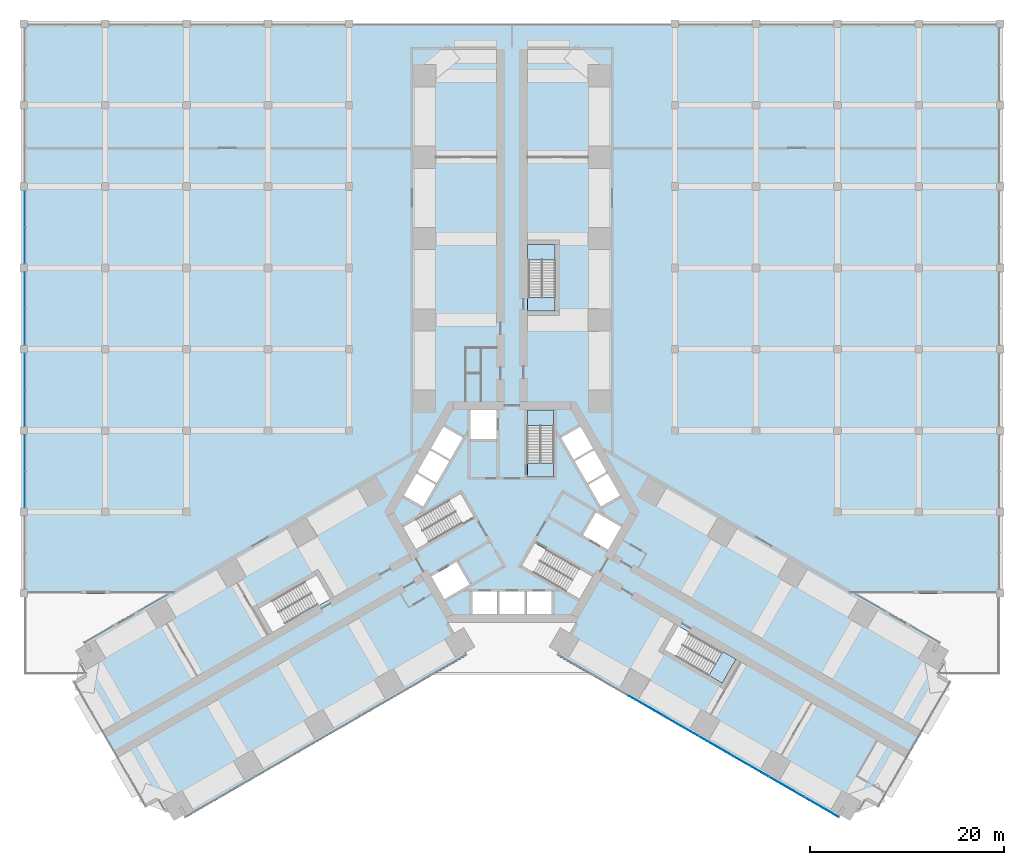
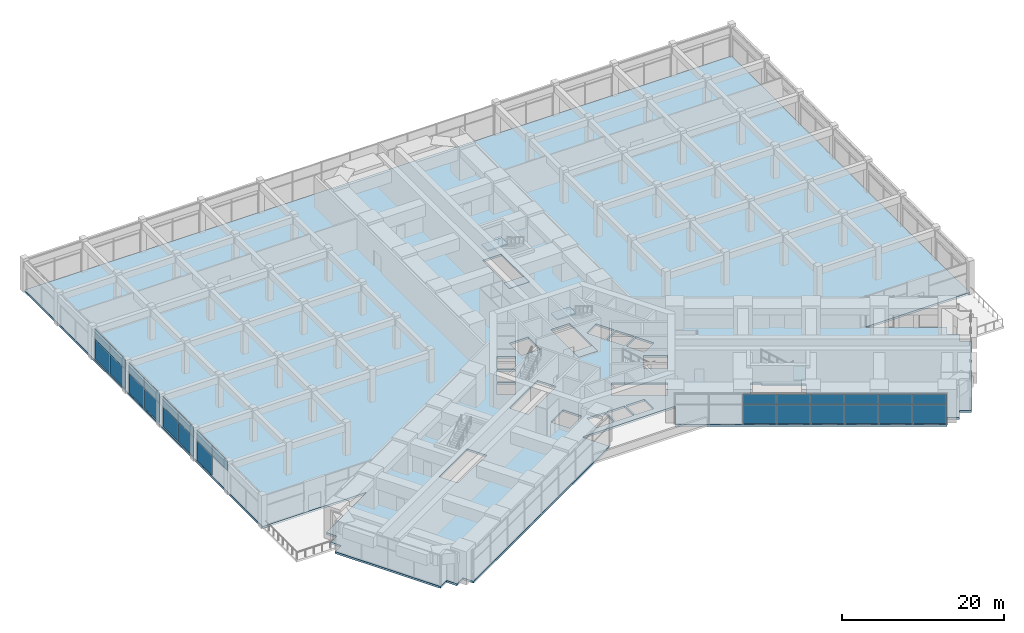
# One storey, part 24 of 33: 27 plates, 6 slabs, 8 elements without a shape of their own.
"""IFC4 building model written with IfcOpenShell, lengths in metres."""

import ifcopenshell
import ifcopenshell.guid

model = None  # the IFC model being written
_history = None  # IfcOwnerHistory: only IFC2X3 demands one
_inside = {}  # id of a spatial element -> (the spatial element, [elements in it])
_under = {}  # id of a project, library or spatial element -> (it, [spatial elements below it])
_declared = {}  # id of a project -> (the project, [libraries it declares])
_typed = {}  # id of a type object -> (the type object, [elements of that type])
_made_of = {}  # id of a material, layer set ... -> (it, [elements and type objects made of it])


def new_model(schema):
    """Start an empty IFC model of exactly this schema.

    Asked for "IFC4X3", IfcOpenShell would pick the latest addendum, in which some entities
    have other attributes; the version numbers below select the first issue.
    IFC2X3 requires an IfcOwnerHistory on every rooted entity: one is made here for all.
    """
    global model, _history
    if schema == "IFC4X3":
        model = ifcopenshell.file(schema_version=(4, 3, 0, 0))
    else:
        model = ifcopenshell.file(schema=schema)
    _inside.clear()
    _under.clear()
    _declared.clear()
    _typed.clear()
    _made_of.clear()
    _history = None
    if model.schema == "IFC2X3":
        org = make("IfcOrganization", Name="unknown")
        user = make(
            "IfcPersonAndOrganization",
            ThePerson=make("IfcPerson", FamilyName="unknown"),
            TheOrganization=org,
        )
        app = make(
            "IfcApplication",
            ApplicationDeveloper=org,
            Version="unknown",
            ApplicationFullName="unknown",
            ApplicationIdentifier="unknown",
        )
        _history = make(
            "IfcOwnerHistory",
            OwningUser=user,
            OwningApplication=app,
            ChangeAction="ADDED",
            CreationDate=0,
        )
    return model


def make(cls, **values):
    """One entity of the class cls with the attributes given. An attribute that is None is left unset."""
    return model.create_entity(
        cls, **{name: value for name, value in values.items() if value is not None}
    )


def rooted(cls, **values):
    """An entity with a GlobalId (a new one), such as an element, a storey or a relation."""
    return make(cls, GlobalId=ifcopenshell.guid.new(), OwnerHistory=_history, **values)


def si_unit(unit_type, name, prefix=None):
    """IfcSIUnit, for example si_unit("LENGTHUNIT", "METRE", prefix="MILLI")."""
    return make("IfcSIUnit", UnitType=unit_type, Prefix=prefix, Name=name)


def assignment(units):
    """IfcUnitAssignment: the units of a project."""
    return None if units is None else make("IfcUnitAssignment", Units=units)


def point(xyz):
    """IfcCartesianPoint."""
    return None if xyz is None else make("IfcCartesianPoint", Coordinates=xyz)


def direction(xyz):
    """IfcDirection."""
    return None if xyz is None else make("IfcDirection", DirectionRatios=xyz)


def frame(location, z_axis=None, x_axis=None):
    """IfcAxis2Placement3D, a coordinate frame: its origin and axes. An axis left out is left unset."""
    return make(
        "IfcAxis2Placement3D",
        Location=point(location),
        Axis=direction(z_axis),
        RefDirection=direction(x_axis),
    )


def frame_2d(location, x_axis=None):
    """IfcAxis2Placement2D, a coordinate frame in the plane: its origin and x axis."""
    return make(
        "IfcAxis2Placement2D", Location=point(location), RefDirection=direction(x_axis)
    )


def origin():
    """The frame at (0, 0, 0) with its axes left unset."""
    return frame((0.0, 0.0, 0.0))


def origin_2d():
    """The frame at (0, 0) in the plane with its x axis left unset."""
    return frame_2d((0.0, 0.0))


def place(relative_to, where):
    """IfcLocalPlacement: puts the frame where relative to a parent placement (None: the world)."""
    return make(
        "IfcLocalPlacement", PlacementRelTo=relative_to, RelativePlacement=where
    )


def context(
    kind, dimensions, precision=None, world=None, true_north=None, identifier=None
):
    """IfcGeometricRepresentationContext, for example the 3D "Model" context."""
    return make(
        "IfcGeometricRepresentationContext",
        ContextIdentifier=identifier,
        ContextType=kind,
        CoordinateSpaceDimension=dimensions,
        Precision=precision,
        WorldCoordinateSystem=world,
        TrueNorth=true_north,
    )


def subcontext(parent, identifier, kind, view, scale=None):
    """IfcGeometricRepresentationSubContext, for example "Body" below "Model"."""
    return make(
        "IfcGeometricRepresentationSubContext",
        ContextIdentifier=identifier,
        ContextType=kind,
        ParentContext=parent,
        TargetScale=scale,
        TargetView=view,
    )


def project(units=None, contexts=None):
    """IfcProject with its units and contexts."""
    return rooted(
        "IfcProject",
        Name="project",
        RepresentationContexts=contexts,
        UnitsInContext=assignment(units),
    )


def spatial(cls, under=None, at=None, **own):
    """A site, building, storey or space (cls), placed at a placement, below another one or the project."""
    s = rooted(cls, ObjectPlacement=at, **own)
    if under is not None:
        _under.setdefault(under.id(), (under, []))[1].append(s)
    return s


def polyline(points):
    """IfcPolyline through the points."""
    return make("IfcPolyline", Points=[point(p) for p in points])


def profile(cls, at=None, kind="AREA", **sizes):
    """A parametric profile (cls). Its sizes go by their IFC names, for example OverallWidth=200.0."""
    return make(cls, ProfileType=kind, Position=at, **sizes)


def rectangle(**sizes):
    """IfcRectangleProfileDef."""
    return profile("IfcRectangleProfileDef", **sizes)


def outline(outer, holes=None, kind="AREA"):
    """IfcArbitraryClosedProfileDef: a profile drawn as a closed curve; with holes, ...WithVoids."""
    if holes is None:
        return make("IfcArbitraryClosedProfileDef", ProfileType=kind, OuterCurve=outer)
    return make(
        "IfcArbitraryProfileDefWithVoids",
        ProfileType=kind,
        OuterCurve=outer,
        InnerCurves=holes,
    )


def extrude(swept, where, along, depth):
    """IfcExtrudedAreaSolid: the profile swept, set in the frame where, extruded along a direction by depth."""
    return make(
        "IfcExtrudedAreaSolid",
        SweptArea=swept,
        Position=where,
        ExtrudedDirection=direction(along),
        Depth=depth,
    )


def shape(context_of_items, identifier, shape_type, items):
    """IfcShapeRepresentation: the items that make up one representation, for example the "Body"."""
    return make(
        "IfcShapeRepresentation",
        ContextOfItems=context_of_items,
        RepresentationIdentifier=identifier,
        RepresentationType=shape_type,
        Items=items,
    )


def material(Name=None, Category=None):
    """IfcMaterial."""
    return make("IfcMaterial", Name=Name, Category=Category)


def layer(
    of_material, thickness, ventilated=None, Name=None, Category=None, Priority=None
):
    """IfcMaterialLayer: one layer of a wall or slab, of a material (None: an air gap)."""
    return make(
        "IfcMaterialLayer",
        Material=of_material,
        LayerThickness=thickness,
        IsVentilated=ventilated,
        Name=Name,
        Category=Category,
        Priority=Priority,
    )


def layer_set(layers, Name=None):
    """IfcMaterialLayerSet."""
    return make("IfcMaterialLayerSet", MaterialLayers=layers, LayerSetName=Name)


def made_of(thing, what):
    """Note that an element or type object is made of a material, layer set ...; save() writes the relation."""
    if what is not None:
        _made_of.setdefault(what.id(), (what, []))[1].append(thing)
    return thing


def type_object(cls, material=None, **own):
    """A type object (cls), such as IfcWallType, which elements share."""
    return made_of(rooted(cls, **own), material)


def element(
    cls,
    number,
    at=None,
    inside=None,
    cuts=None,
    type_object=None,
    material=None,
    context=None,
    identifier="Body",
    shape_type=None,
    held_by="IfcProductDefinitionShape",
    body=None,
    shapes=None,
    **own,
):
    """One element of the class cls, such as IfcWall. Its Tag is "e" and its number.

    at: its placement. inside: the storey or other place that contains it. cuts: it is an
    opening in that element (IfcRelVoidsElement). A single representation is given by context,
    identifier, shape_type and body (its items); several are given by shapes. held_by: the class
    of the entity that holds the representations. save() writes the other relations.
    """
    e = rooted(cls, Tag="e%d" % number, ObjectPlacement=at, **own)
    if body is not None:
        shapes = [shape(context, identifier, shape_type, body)]
    if shapes is not None:
        e.Representation = make(held_by, Representations=shapes)
    if inside is not None:
        _inside.setdefault(inside.id(), (inside, []))[1].append(e)
    if cuts is not None:
        rooted(
            "IfcRelVoidsElement", RelatingBuildingElement=cuts, RelatedOpeningElement=e
        )
    if type_object is not None:
        _typed.setdefault(type_object.id(), (type_object, []))[1].append(e)
    return made_of(e, material)


def aggregate(whole, parts):
    """IfcRelAggregates: a whole, such as a stair, and the parts it consists of."""
    return rooted("IfcRelAggregates", RelatingObject=whole, RelatedObjects=parts)


def save(model, path):
    """Write the relations noted so far, then the file.

    IfcRelAggregates (storeys below a building ...), IfcRelContainedInSpatialStructure (elements
    in a storey), IfcRelDefinesByType, IfcRelAssociatesMaterial and IfcRelDeclares: one each for
    every whole, place, type object, material and project.
    """
    for whole, parts in _under.values():
        aggregate(whole, parts)
    for where, things in _inside.values():
        rooted(
            "IfcRelContainedInSpatialStructure",
            RelatedElements=things,
            RelatingStructure=where,
        )
    for kind, things in _typed.values():
        rooted("IfcRelDefinesByType", RelatedObjects=things, RelatingType=kind)
    for what, things in _made_of.values():
        rooted("IfcRelAssociatesMaterial", RelatedObjects=things, RelatingMaterial=what)
    for by, libraries in _declared.values():
        rooted("IfcRelDeclares", RelatingContext=by, RelatedDefinitions=libraries)
    model.write(path)


model = new_model("IFC4")

# Units and contexts
model_context = context("Model", 3, precision=1e-05, world=origin(), true_north=direction((0.0, 1.0)))
body_context = subcontext(model_context, "Body", "Model", "MODEL_VIEW")
ifc_project = project(units=[si_unit("LENGTHUNIT", "METRE"), si_unit("AREAUNIT", "SQUARE_METRE"), si_unit("VOLUMEUNIT", "CUBIC_METRE"), si_unit("PLANEANGLEUNIT", "RADIAN"), si_unit("MASSUNIT", "GRAM", prefix="KILO")], contexts=[model_context])

# Site, building, storey
site_placement = place(None, origin())
site = spatial("IfcSite", under=ifc_project, at=site_placement, CompositionType="ELEMENT")
building_placement = place(site_placement, origin())
building = spatial("IfcBuilding", under=site, at=building_placement, Name="Impinga Residences", CompositionType="ELEMENT")
storey_placement = place(building_placement, frame((0.0, 0.0, 21.0)))
storey = spatial("IfcBuildingStorey", under=building, at=storey_placement, Name="L04", CompositionType="ELEMENT", Elevation=21.0)

# Curtain wall, plates
ifc_material_1 = material(Name="Aluminium stick curtain wall", Category="aluminium")
curtain_wall_type = type_object("IfcCurtainWallType", Name="CW1 podium amenity curtain wall", PredefinedType="USERDEFINED", material=ifc_material_1)
curtain_wall_1_placement = place(storey_placement, origin())
curtain_wall_1 = element("IfcCurtainWall", 1, at=curtain_wall_1_placement, inside=storey, type_object=curtain_wall_type, Name="Curtain wall CW1 L04", ObjectType="STICK CURTAIN WALL", PredefinedType="USERDEFINED")
ifc_material_2 = material(Name="Clear double glazing", Category="glass")
ifc_layer_1 = layer(ifc_material_2, 0.028076171875)
ifc_layer_set_1 = layer_set([ifc_layer_1], Name="CW1-P clear double glazed panel 28")
plate_type = type_object("IfcPlateType", Name="CW1-P clear double glazed panel 28", PredefinedType="CURTAIN_PANEL", material=ifc_layer_set_1)
plate_1_placement = place(storey_placement, frame((-50.300048828125, 2.31640625, 3.02978515625), z_axis=(0.0, 0.0, 1.0), x_axis=(0.0, 1.0, 0.0)))
plate_1 = element("IfcPlate", 2, at=plate_1_placement, type_object=plate_type, Name="CW1 panel 1.2", PredefinedType="CURTAIN_PANEL", context=body_context, shape_type="SweptSolid", body=[
    extrude(rectangle(XDim=3.70703125, YDim=0.028076171875, at=origin_2d()), origin(), (0.0, 0.0, 1.0), 1.510009765625),
])
plate_2_placement = place(storey_placement, frame((-50.300048828125, 6.08349609375, 0.06005859375), z_axis=(0.0, 0.0, 1.0), x_axis=(0.0, 1.0, 0.0)))
plate_2 = element("IfcPlate", 3, at=plate_2_placement, type_object=plate_type, Name="CW1 panel 2.1", PredefinedType="CURTAIN_PANEL", context=body_context, shape_type="SweptSolid", body=[
    extrude(rectangle(XDim=3.70703125, YDim=0.028076171875, at=origin_2d()), origin(), (0.0, 0.0, 1.0), 2.909912109375),
])
plate_3_placement = place(storey_placement, frame((-50.300048828125, 6.08349609375, 3.02978515625), z_axis=(0.0, 0.0, 1.0), x_axis=(0.0, 1.0, 0.0)))
plate_3 = element("IfcPlate", 4, at=plate_3_placement, type_object=plate_type, Name="CW1 panel 2.2", PredefinedType="CURTAIN_PANEL", context=body_context, shape_type="SweptSolid", body=[
    extrude(rectangle(XDim=3.70703125, YDim=0.028076171875, at=origin_2d()), origin(), (0.0, 0.0, 1.0), 1.510009765625),
])
aggregate(curtain_wall_1, [plate_1, plate_2, plate_3])

curtain_wall_2_placement = place(storey_placement, origin())
curtain_wall_2 = element("IfcCurtainWall", 5, at=curtain_wall_2_placement, inside=storey, type_object=curtain_wall_type, Name="Curtain wall CW1 L04", ObjectType="STICK CURTAIN WALL", PredefinedType="USERDEFINED")
plate_4_placement = place(storey_placement, frame((-50.300048828125, 10.716552734375, 0.06005859375), z_axis=(0.0, 0.0, 1.0), x_axis=(0.0, 1.0, 0.0)))
plate_4 = element("IfcPlate", 6, at=plate_4_placement, type_object=plate_type, Name="CW1 panel 1.1", PredefinedType="CURTAIN_PANEL", context=body_context, shape_type="SweptSolid", body=[
    extrude(rectangle(XDim=3.70703125, YDim=0.028076171875, at=origin_2d()), origin(), (0.0, 0.0, 1.0), 2.909912109375),
])
plate_5_placement = place(storey_placement, frame((-50.300048828125, 10.716552734375, 3.02978515625), z_axis=(0.0, 0.0, 1.0), x_axis=(0.0, 1.0, 0.0)))
plate_5 = element("IfcPlate", 7, at=plate_5_placement, type_object=plate_type, Name="CW1 panel 1.2", PredefinedType="CURTAIN_PANEL", context=body_context, shape_type="SweptSolid", body=[
    extrude(rectangle(XDim=3.70703125, YDim=0.028076171875, at=origin_2d()), origin(), (0.0, 0.0, 1.0), 1.510009765625),
])
plate_6_placement = place(storey_placement, frame((-50.300048828125, 14.4833984375, 0.06005859375), z_axis=(0.0, 0.0, 1.0), x_axis=(0.0, 1.0, 0.0)))
plate_6 = element("IfcPlate", 8, at=plate_6_placement, type_object=plate_type, Name="CW1 panel 2.1", PredefinedType="CURTAIN_PANEL", context=body_context, shape_type="SweptSolid", body=[
    extrude(rectangle(XDim=3.70703125, YDim=0.028076171875, at=origin_2d()), origin(), (0.0, 0.0, 1.0), 2.909912109375),
])
plate_7_placement = place(storey_placement, frame((-50.300048828125, 14.4833984375, 3.02978515625), z_axis=(0.0, 0.0, 1.0), x_axis=(0.0, 1.0, 0.0)))
plate_7 = element("IfcPlate", 9, at=plate_7_placement, type_object=plate_type, Name="CW1 panel 2.2", PredefinedType="CURTAIN_PANEL", context=body_context, shape_type="SweptSolid", body=[
    extrude(rectangle(XDim=3.70703125, YDim=0.028076171875, at=origin_2d()), origin(), (0.0, 0.0, 1.0), 1.510009765625),
])
aggregate(curtain_wall_2, [plate_4, plate_5, plate_6, plate_7])

curtain_wall_3_placement = place(storey_placement, origin())
curtain_wall_3 = element("IfcCurtainWall", 10, at=curtain_wall_3_placement, inside=storey, type_object=curtain_wall_type, Name="Curtain wall CW1 L04", ObjectType="STICK CURTAIN WALL", PredefinedType="USERDEFINED")
plate_8_placement = place(storey_placement, frame((-50.300048828125, 19.116455078125, 0.06005859375), z_axis=(0.0, 0.0, 1.0), x_axis=(0.0, 1.0, 0.0)))
plate_8 = element("IfcPlate", 11, at=plate_8_placement, type_object=plate_type, Name="CW1 panel 1.1", PredefinedType="CURTAIN_PANEL", context=body_context, shape_type="SweptSolid", body=[
    extrude(rectangle(XDim=3.70703125, YDim=0.028076171875, at=origin_2d()), origin(), (0.0, 0.0, 1.0), 2.909912109375),
])
plate_9_placement = place(storey_placement, frame((-50.300048828125, 19.116455078125, 3.02978515625), z_axis=(0.0, 0.0, 1.0), x_axis=(0.0, 1.0, 0.0)))
plate_9 = element("IfcPlate", 12, at=plate_9_placement, type_object=plate_type, Name="CW1 panel 1.2", PredefinedType="CURTAIN_PANEL", context=body_context, shape_type="SweptSolid", body=[
    extrude(rectangle(XDim=3.70703125, YDim=0.028076171875, at=origin_2d()), origin(), (0.0, 0.0, 1.0), 1.510009765625),
])
plate_10_placement = place(storey_placement, frame((-50.300048828125, 22.883544921875, 0.06005859375), z_axis=(0.0, 0.0, 1.0), x_axis=(0.0, 1.0, 0.0)))
plate_10 = element("IfcPlate", 13, at=plate_10_placement, type_object=plate_type, Name="CW1 panel 2.1", PredefinedType="CURTAIN_PANEL", context=body_context, shape_type="SweptSolid", body=[
    extrude(rectangle(XDim=3.70703125, YDim=0.028076171875, at=origin_2d()), origin(), (0.0, 0.0, 1.0), 2.909912109375),
])
plate_11_placement = place(storey_placement, frame((-50.300048828125, 22.883544921875, 3.02978515625), z_axis=(0.0, 0.0, 1.0), x_axis=(0.0, 1.0, 0.0)))
plate_11 = element("IfcPlate", 14, at=plate_11_placement, type_object=plate_type, Name="CW1 panel 2.2", PredefinedType="CURTAIN_PANEL", context=body_context, shape_type="SweptSolid", body=[
    extrude(rectangle(XDim=3.70703125, YDim=0.028076171875, at=origin_2d()), origin(), (0.0, 0.0, 1.0), 1.510009765625),
])
aggregate(curtain_wall_3, [plate_8, plate_9, plate_10, plate_11])

curtain_wall_4_placement = place(storey_placement, origin())
curtain_wall_4 = element("IfcCurtainWall", 15, at=curtain_wall_4_placement, inside=storey, type_object=curtain_wall_type, Name="Curtain wall CW1 L04", ObjectType="STICK CURTAIN WALL", PredefinedType="USERDEFINED")
plate_12_placement = place(storey_placement, frame((-50.300048828125, 27.5166015625, 0.06005859375), z_axis=(0.0, 0.0, 1.0), x_axis=(0.0, 1.0, 0.0)))
plate_12 = element("IfcPlate", 16, at=plate_12_placement, type_object=plate_type, Name="CW1 panel 1.1", PredefinedType="CURTAIN_PANEL", context=body_context, shape_type="SweptSolid", body=[
    extrude(rectangle(XDim=3.70703125, YDim=0.028076171875, at=origin_2d()), origin(), (0.0, 0.0, 1.0), 2.909912109375),
])
plate_13_placement = place(storey_placement, frame((-50.300048828125, 27.5166015625, 3.02978515625), z_axis=(0.0, 0.0, 1.0), x_axis=(0.0, 1.0, 0.0)))
plate_13 = element("IfcPlate", 17, at=plate_13_placement, type_object=plate_type, Name="CW1 panel 1.2", PredefinedType="CURTAIN_PANEL", context=body_context, shape_type="SweptSolid", body=[
    extrude(rectangle(XDim=3.70703125, YDim=0.028076171875, at=origin_2d()), origin(), (0.0, 0.0, 1.0), 1.510009765625),
])
plate_14_placement = place(storey_placement, frame((-50.300048828125, 31.283447265625, 0.06005859375), z_axis=(0.0, 0.0, 1.0), x_axis=(0.0, 1.0, 0.0)))
plate_14 = element("IfcPlate", 18, at=plate_14_placement, type_object=plate_type, Name="CW1 panel 2.1", PredefinedType="CURTAIN_PANEL", context=body_context, shape_type="SweptSolid", body=[
    extrude(rectangle(XDim=3.70703125, YDim=0.028076171875, at=origin_2d()), origin(), (0.0, 0.0, 1.0), 2.909912109375),
])
plate_15_placement = place(storey_placement, frame((-50.300048828125, 31.283447265625, 3.02978515625), z_axis=(0.0, 0.0, 1.0), x_axis=(0.0, 1.0, 0.0)))
plate_15 = element("IfcPlate", 19, at=plate_15_placement, type_object=plate_type, Name="CW1 panel 2.2", PredefinedType="CURTAIN_PANEL", context=body_context, shape_type="SweptSolid", body=[
    extrude(rectangle(XDim=3.70703125, YDim=0.028076171875, at=origin_2d()), origin(), (0.0, 0.0, 1.0), 1.510009765625),
])
aggregate(curtain_wall_4, [plate_12, plate_13, plate_14, plate_15])

curtain_wall_5_placement = place(storey_placement, origin())
curtain_wall_5 = element("IfcCurtainWall", 20, at=curtain_wall_5_placement, inside=storey, type_object=curtain_wall_type, Name="Curtain wall CW1 L04", ObjectType="STICK CURTAIN WALL", PredefinedType="USERDEFINED")
plate_16_placement = place(storey_placement, frame((31.966796875, -30.46484375, 0.06005859375), z_axis=(0.0, 0.0, 1.0), x_axis=(-0.866025407005, 0.499999994423, 0.0)))
plate_16 = element("IfcPlate", 21, at=plate_16_placement, type_object=plate_type, Name="CW1 panel 1.1", PredefinedType="CURTAIN_PANEL", context=body_context, shape_type="SweptSolid", body=[
    extrude(rectangle(XDim=4.110107421875, YDim=0.028076171875, at=origin_2d()), origin(), (0.0, 0.0, 1.0), 2.909912109375),
])
plate_17_placement = place(storey_placement, frame((31.966796875, -30.46484375, 3.02978515625), z_axis=(0.0, 0.0, 1.0), x_axis=(-0.866025407005, 0.499999994423, 0.0)))
plate_17 = element("IfcPlate", 22, at=plate_17_placement, type_object=plate_type, Name="CW1 panel 1.2", PredefinedType="CURTAIN_PANEL", context=body_context, shape_type="SweptSolid", body=[
    extrude(rectangle(XDim=4.110107421875, YDim=0.028076171875, at=origin_2d()), origin(), (0.0, 0.0, 1.0), 1.510009765625),
])
plate_18_placement = place(storey_placement, frame((28.342529296875, -28.372314453125, 0.06005859375), z_axis=(0.0, 0.0, 1.0), x_axis=(-0.866025407005, 0.499999994423, 0.0)))
plate_18 = element("IfcPlate", 23, at=plate_18_placement, type_object=plate_type, Name="CW1 panel 2.1", PredefinedType="CURTAIN_PANEL", context=body_context, shape_type="SweptSolid", body=[
    extrude(rectangle(XDim=4.139892578125, YDim=0.028076171875, at=origin_2d()), origin(), (0.0, 0.0, 1.0), 2.909912109375),
])
plate_19_placement = place(storey_placement, frame((28.342529296875, -28.372314453125, 3.02978515625), z_axis=(0.0, 0.0, 1.0), x_axis=(-0.866025407005, 0.499999994423, 0.0)))
plate_19 = element("IfcPlate", 24, at=plate_19_placement, type_object=plate_type, Name="CW1 panel 2.2", PredefinedType="CURTAIN_PANEL", context=body_context, shape_type="SweptSolid", body=[
    extrude(rectangle(XDim=4.139892578125, YDim=0.028076171875, at=origin_2d()), origin(), (0.0, 0.0, 1.0), 1.510009765625),
])
plate_20_placement = place(storey_placement, frame((24.705078125, -26.2724609375, 0.06005859375), z_axis=(0.0, 0.0, 1.0), x_axis=(-0.866025407005, 0.499999994423, 0.0)))
plate_20 = element("IfcPlate", 25, at=plate_20_placement, type_object=plate_type, Name="CW1 panel 3.1", PredefinedType="CURTAIN_PANEL", context=body_context, shape_type="SweptSolid", body=[
    extrude(rectangle(XDim=4.139892578125, YDim=0.028076171875, at=origin_2d()), origin(), (0.0, 0.0, 1.0), 2.909912109375),
])
plate_21_placement = place(storey_placement, frame((24.705078125, -26.2724609375, 3.02978515625), z_axis=(0.0, 0.0, 1.0), x_axis=(-0.866025407005, 0.499999994423, 0.0)))
plate_21 = element("IfcPlate", 26, at=plate_21_placement, type_object=plate_type, Name="CW1 panel 3.2", PredefinedType="CURTAIN_PANEL", context=body_context, shape_type="SweptSolid", body=[
    extrude(rectangle(XDim=4.139892578125, YDim=0.028076171875, at=origin_2d()), origin(), (0.0, 0.0, 1.0), 1.510009765625),
])
plate_22_placement = place(storey_placement, frame((21.06787109375, -24.17236328125, 0.06005859375), z_axis=(0.0, 0.0, 1.0), x_axis=(-0.866025407005, 0.499999994423, 0.0)))
plate_22 = element("IfcPlate", 27, at=plate_22_placement, type_object=plate_type, Name="CW1 panel 4.1", PredefinedType="CURTAIN_PANEL", context=body_context, shape_type="SweptSolid", body=[
    extrude(rectangle(XDim=4.139892578125, YDim=0.028076171875, at=origin_2d()), origin(), (0.0, 0.0, 1.0), 2.909912109375),
])
plate_23_placement = place(storey_placement, frame((21.06787109375, -24.17236328125, 3.02978515625), z_axis=(0.0, 0.0, 1.0), x_axis=(-0.866025407005, 0.499999994423, 0.0)))
plate_23 = element("IfcPlate", 28, at=plate_23_placement, type_object=plate_type, Name="CW1 panel 4.2", PredefinedType="CURTAIN_PANEL", context=body_context, shape_type="SweptSolid", body=[
    extrude(rectangle(XDim=4.139892578125, YDim=0.028076171875, at=origin_2d()), origin(), (0.0, 0.0, 1.0), 1.510009765625),
])
plate_24_placement = place(storey_placement, frame((17.4306640625, -22.072509765625, 0.06005859375), z_axis=(0.0, 0.0, 1.0), x_axis=(-0.866025407005, 0.499999994423, 0.0)))
plate_24 = element("IfcPlate", 29, at=plate_24_placement, type_object=plate_type, Name="CW1 panel 5.1", PredefinedType="CURTAIN_PANEL", context=body_context, shape_type="SweptSolid", body=[
    extrude(rectangle(XDim=4.139892578125, YDim=0.028076171875, at=origin_2d()), origin(), (0.0, 0.0, 1.0), 2.909912109375),
])
plate_25_placement = place(storey_placement, frame((17.4306640625, -22.072509765625, 3.02978515625), z_axis=(0.0, 0.0, 1.0), x_axis=(-0.866025407005, 0.499999994423, 0.0)))
plate_25 = element("IfcPlate", 30, at=plate_25_placement, type_object=plate_type, Name="CW1 panel 5.2", PredefinedType="CURTAIN_PANEL", context=body_context, shape_type="SweptSolid", body=[
    extrude(rectangle(XDim=4.139892578125, YDim=0.028076171875, at=origin_2d()), origin(), (0.0, 0.0, 1.0), 1.510009765625),
])
plate_26_placement = place(storey_placement, frame((13.793212890625, -19.972412109375, 0.06005859375), z_axis=(0.0, 0.0, 1.0), x_axis=(-0.866025407005, 0.499999994423, 0.0)))
plate_26 = element("IfcPlate", 31, at=plate_26_placement, type_object=plate_type, Name="CW1 panel 6.1", PredefinedType="CURTAIN_PANEL", context=body_context, shape_type="SweptSolid", body=[
    extrude(rectangle(XDim=4.139892578125, YDim=0.028076171875, at=origin_2d()), origin(), (0.0, 0.0, 1.0), 2.909912109375),
])
plate_27_placement = place(storey_placement, frame((13.793212890625, -19.972412109375, 3.02978515625), z_axis=(0.0, 0.0, 1.0), x_axis=(-0.866025407005, 0.499999994423, 0.0)))
plate_27 = element("IfcPlate", 32, at=plate_27_placement, type_object=plate_type, Name="CW1 panel 6.2", PredefinedType="CURTAIN_PANEL", context=body_context, shape_type="SweptSolid", body=[
    extrude(rectangle(XDim=4.139892578125, YDim=0.028076171875, at=origin_2d()), origin(), (0.0, 0.0, 1.0), 1.510009765625),
])
aggregate(curtain_wall_5, [plate_16, plate_17, plate_18, plate_19, plate_20, plate_21, plate_22, plate_23, plate_24, plate_25, plate_26, plate_27])

# Slab
ifc_material_3 = material(Name="Concrete C60/75", Category="concrete")
ifc_layer_2 = layer(ifc_material_3, 0.300048828125)
ifc_layer_set_2 = layer_set([ifc_layer_2], Name="Concrete C60/75")
slab_type_1 = type_object("IfcSlabType", Name="FS2 podium, plant and crown floor slab 300", PredefinedType="FLOOR", material=ifc_layer_set_2)
slab_1_placement = place(storey_placement, frame((0.0, 0.0, -0.300048828125)))
element("IfcSlab", 33, at=slab_1_placement, inside=storey, type_object=slab_type_1, Name="Floor slab FS2 L04", PredefinedType="FLOOR", context=body_context, shape_type="SweptSolid", body=[
    extrude(outline(polyline([(-35.797607421875, -31.06005859375), (-36.547607421875, -29.760986328125), (-37.846435546875, -30.510986328125), (-45.346435546875, -17.5205078125), (-44.047607421875, -16.7705078125), (-44.797607421875, -15.471435546875), (-43.49853515625, -14.721435546875), (-44.24853515625, -13.422607421875), (-35.54931640625, -8.39990234375), (-50.39990234375, -8.39990234375), (-50.39990234375, 50.39990234375), (50.39990234375, 50.39990234375), (50.39990234375, -8.39990234375), (35.54931640625, -8.39990234375), (44.24853515625, -13.422607421875), (43.49853515625, -14.721435546875), (44.797607421875, -15.471435546875), (44.047607421875, -16.7705078125), (45.346435546875, -17.5205078125), (37.846435546875, -30.510986328125), (36.547607421875, -29.760986328125), (35.797607421875, -31.06005859375), (34.49853515625, -30.31005859375), (33.74853515625, -31.609130859375), (4.64990234375, -14.80908203125), (8.350341796875, -8.39990234375), (8.350341796875, -8.39990234375), (6.60009765625, -11.431640625), (-6.60009765625, -11.431640625), (-8.350341796875, -8.39990234375), (-8.350341796875, -8.39990234375), (-4.64990234375, -14.80908203125), (-33.74853515625, -31.609130859375), (-34.49853515625, -30.31005859375), (-35.797607421875, -31.06005859375)]), holes=[polyline([(-21.391357421875, -7.2119140625), (-26.154541015625, -9.9619140625), (-24.8046875, -12.30029296875), (-20.04150390625, -9.55029296875), (-19.966552734375, -9.68017578125), (-18.754150390625, -8.980224609375), (-18.8291015625, -8.850341796875), (-18.8291015625, -8.850341796875), (-20.178955078125, -6.511962890625), (-21.391357421875, -7.2119140625), (-21.391357421875, -7.2119140625)]), polyline([(-1.5, -8.2314453125), (-4.10009765625, -8.2314453125), (-4.10009765625, -10.531494140625), (-1.5, -10.531494140625), (-1.5, -8.2314453125)]), polyline([(1.300048828125, -8.2314453125), (-1.300048828125, -8.2314453125), (-1.300048828125, -10.531494140625), (1.300048828125, -10.531494140625), (1.300048828125, -8.2314453125)]), polyline([(1.5, -8.2314453125), (1.5, -10.531494140625), (4.10009765625, -10.531494140625), (4.10009765625, -8.2314453125), (1.5, -8.2314453125)]), polyline([(-5.72119140625, -5.150634765625), (-8.320556640625, -6.6513671875), (-6.970458984375, -8.98974609375), (-4.37109375, -7.489013671875), (-5.72119140625, -5.150634765625)]), polyline([(-3.943603515625, -0.429443359375), (-5.293701171875, 1.908935546875), (-11.2705078125, -1.541748046875), (-9.920654296875, -3.880126953125), (-3.943603515625, -0.429443359375)]), polyline([(-9.1787109375, 0.56494140625), (-7.878662109375, 2.816650390625), (-9.87060546875, 3.966796875), (-11.170654296875, 1.715087890625), (-9.1787109375, 0.56494140625)]), polyline([(-6.478759765625, 5.24169921875), (-8.470458984375, 6.3916015625), (-9.7705078125, 4.139892578125), (-7.77880859375, 2.989990234375), (-6.478759765625, 5.24169921875)]), polyline([(-6.378662109375, 5.414794921875), (-5.07861328125, 7.66650390625), (-7.070556640625, 8.81640625), (-8.37060546875, 6.564697265625), (-6.378662109375, 5.414794921875)]), polyline([(-4.300048828125, 7.530029296875), (-1.60009765625, 7.530029296875), (-1.60009765625, 10.531494140625), (-4.300048828125, 10.531494140625), (-4.300048828125, 7.530029296875)]), polyline([(15.72900390625, -14.219482421875), (21.70458984375, -17.669677734375), (23.0546875, -15.331298828125), (18.29150390625, -12.581298828125), (18.366455078125, -12.451416015625), (17.154052734375, -11.75146484375), (15.72900390625, -14.219482421875)]), polyline([(0.99365234375, -5.538818359375), (6.970458984375, -8.98974609375), (8.320556640625, -6.6513671875), (2.34375, -3.20068359375), (0.99365234375, -5.538818359375)]), polyline([(8.671142578125, -0.041015625), (7.3212890625, -2.37939453125), (9.920654296875, -3.880126953125), (11.2705078125, -1.541748046875), (8.671142578125, -0.041015625)]), polyline([(7.878662109375, 2.816650390625), (9.1787109375, 0.56494140625), (11.170654296875, 1.715087890625), (9.87060546875, 3.966796875), (7.878662109375, 2.816650390625)]), polyline([(7.77880859375, 2.989990234375), (9.7705078125, 4.139892578125), (8.470458984375, 6.3916015625), (6.478759765625, 5.24169921875), (7.77880859375, 2.989990234375)]), polyline([(1.60009765625, 3.6298828125), (4.300048828125, 3.6298828125), (4.300048828125, 10.531494140625), (1.60009765625, 10.531494140625), (1.60009765625, 3.6298828125)]), polyline([(5.07861328125, 7.66650390625), (6.378662109375, 5.414794921875), (8.37060546875, 6.564697265625), (7.070556640625, 8.81640625), (5.07861328125, 7.66650390625)]), polyline([(1.75, 22.131591796875), (1.60009765625, 22.131591796875), (1.60009765625, 20.7314453125), (1.75, 20.7314453125), (4.449951171875, 20.7314453125), (4.449951171875, 22.131591796875), (4.449951171875, 27.631591796875), (1.75, 27.631591796875), (1.75, 22.131591796875)])]), origin(), (0.0, 0.0, 1.0), 0.300048828125),
])

# Stair, slabs
ifc_material_4 = material(Name="Concrete C40/50", Category="concrete")
stair_type_1 = type_object("IfcStairType", Name="STR core stair 5000 storey, 30 risers", PredefinedType="HALF_TURN_STAIR", material=ifc_material_4)
stair_1_placement = place(storey_placement, origin())
stair_1 = element("IfcStair", 34, at=stair_1_placement, inside=storey, type_object=stair_type_1, Name="Stair ST1 L04", PredefinedType="HALF_TURN_STAIR")
ifc_layer_3 = layer(ifc_material_4, 0.199951171875)
ifc_layer_set_3 = layer_set([ifc_layer_3], Name="Concrete C40/50")
slab_type_2 = type_object("IfcSlabType", Name="LS1 stair landing 200", PredefinedType="LANDING", material=ifc_layer_set_3)
slab_2_placement = place(storey_placement, frame((0.0, 0.0, -0.199951171875)))
slab_2 = element("IfcSlab", 35, at=slab_2_placement, type_object=slab_type_2, Name="ST1 landing 1", PredefinedType="LANDING", context=body_context, shape_type="SweptSolid", body=[
    extrude(outline(polyline([(1.60009765625, 3.6298828125), (4.300048828125, 3.6298828125), (4.300048828125, 5.0400390625), (1.60009765625, 5.0400390625), (1.60009765625, 3.6298828125)])), origin(), (0.0, 0.0, 1.0), 0.199951171875),
])
slab_3_placement = place(storey_placement, frame((0.0, 0.0, 2.300048828125)))
slab_3 = element("IfcSlab", 36, at=slab_3_placement, type_object=slab_type_2, Name="ST1 landing 2", PredefinedType="LANDING", context=body_context, shape_type="SweptSolid", body=[
    extrude(outline(polyline([(1.60009765625, 8.93994140625), (4.300048828125, 8.93994140625), (4.300048828125, 10.531494140625), (1.60009765625, 10.531494140625), (1.60009765625, 8.93994140625)])), origin(), (0.0, 0.0, 1.0), 0.199951171875),
])
aggregate(stair_1, [slab_2, slab_3])

stair_type_2 = type_object("IfcStairType", Name="STR wing stair 5000 storey, 30 risers", PredefinedType="HALF_TURN_STAIR", material=ifc_material_4)
stair_2_placement = place(storey_placement, origin())
stair_2 = element("IfcStair", 37, at=stair_2_placement, inside=storey, type_object=stair_type_2, Name="Stair WS1 L04", PredefinedType="HALF_TURN_STAIR")
slab_4_placement = place(storey_placement, frame((0.0, 0.0, -0.199951171875)))
slab_4 = element("IfcSlab", 38, at=slab_4_placement, type_object=slab_type_2, Name="WS1 landing 1", PredefinedType="LANDING", context=body_context, shape_type="SweptSolid", body=[
    extrude(outline(polyline([(1.60009765625, 20.7314453125), (4.449951171875, 20.7314453125), (4.449951171875, 22.1416015625), (1.60009765625, 22.1416015625), (1.60009765625, 20.7314453125)])), origin(), (0.0, 0.0, 1.0), 0.199951171875),
])
slab_5_placement = place(storey_placement, frame((0.0, 0.0, 2.300048828125)))
slab_5 = element("IfcSlab", 39, at=slab_5_placement, type_object=slab_type_2, Name="WS1 landing 2", PredefinedType="LANDING", context=body_context, shape_type="SweptSolid", body=[
    extrude(outline(polyline([(1.60009765625, 26.04150390625), (4.449951171875, 26.04150390625), (4.449951171875, 27.631591796875), (1.60009765625, 27.631591796875), (1.60009765625, 26.04150390625)])), origin(), (0.0, 0.0, 1.0), 0.199951171875),
])
aggregate(stair_2, [slab_4, slab_5])

# Stair, slab
stair_3_placement = place(storey_placement, origin())
stair_3 = element("IfcStair", 40, at=stair_3_placement, inside=storey, type_object=stair_type_2, Name="Stair WS3 L04", PredefinedType="HALF_TURN_STAIR")
slab_6_placement = place(storey_placement, frame((0.0, 0.0, 2.300048828125)))
slab_6 = element("IfcSlab", 41, at=slab_6_placement, type_object=slab_type_2, Name="WS3 landing 2", PredefinedType="LANDING", context=body_context, shape_type="SweptSolid", body=[
    extrude(outline(polyline([(21.752685546875, -14.406494140625), (20.32763671875, -16.87451171875), (21.70458984375, -17.669677734375), (23.129638671875, -15.201416015625), (21.752685546875, -14.406494140625)])), origin(), (0.0, 0.0, 1.0), 0.199951171875),
])
aggregate(stair_3, [slab_6])

save(model, "model.ifc")
